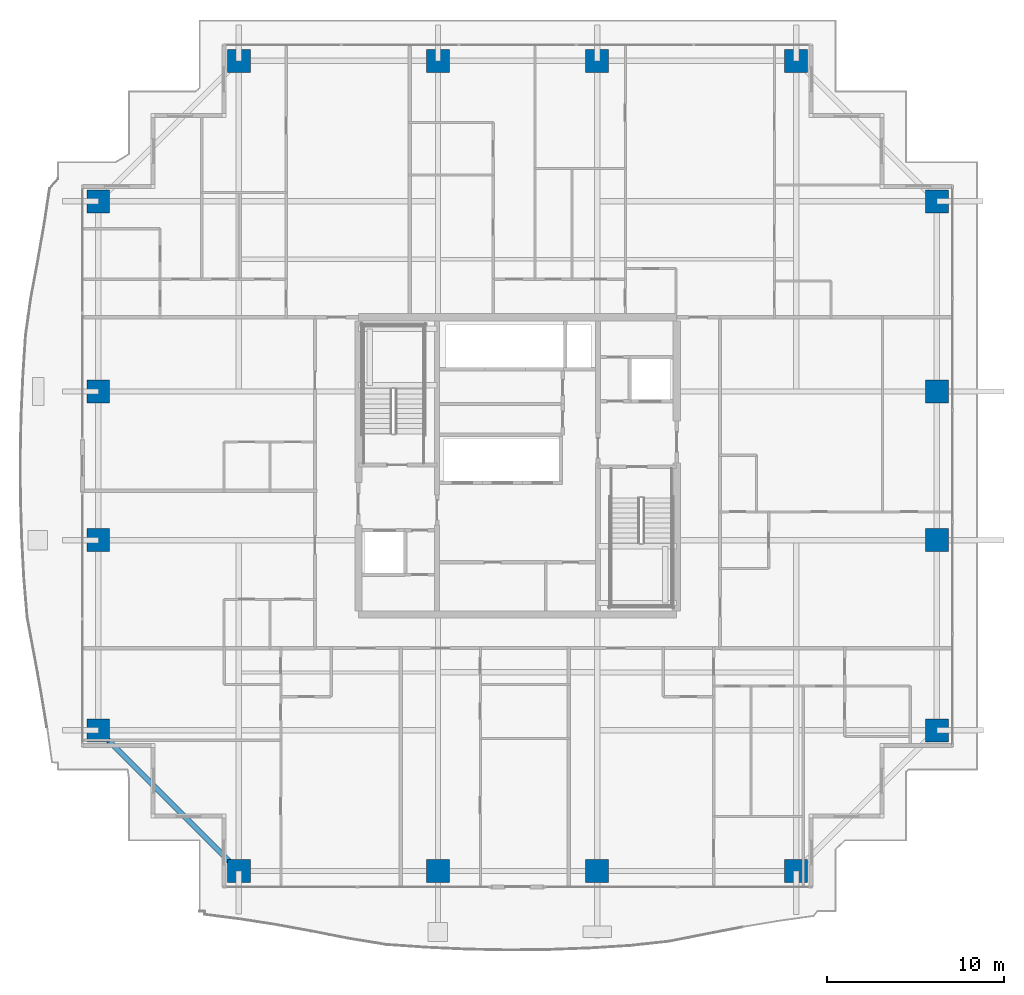
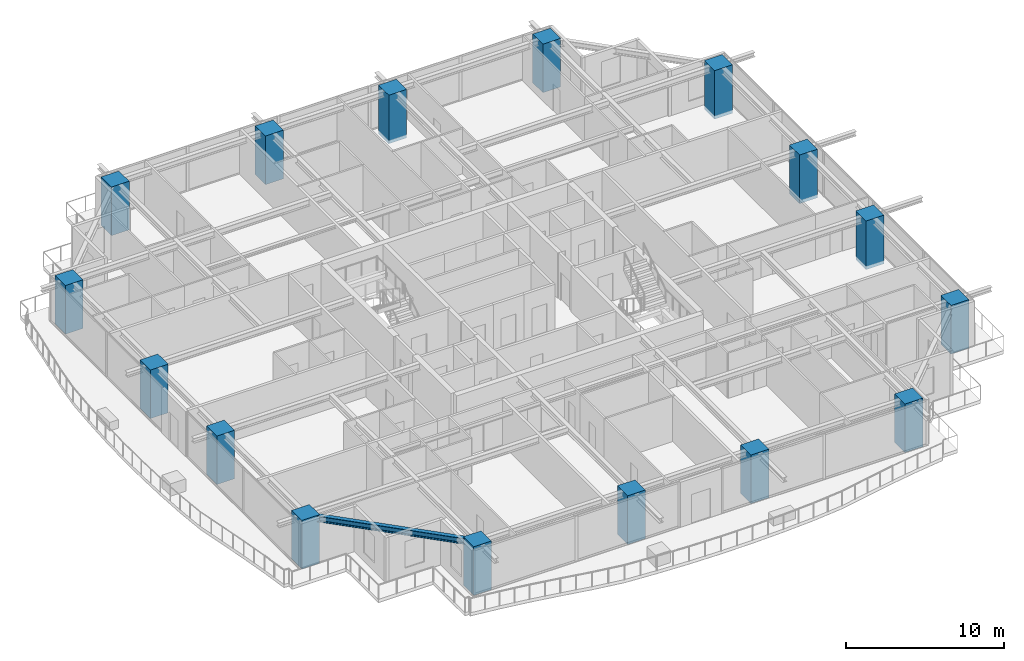
# One storey, part 1 of 35: 16 columns, 1 beam.
"""IFC4 building model written with IfcOpenShell, lengths in metres."""

from ifc_helpers import new_model, si_unit, direction, frame, origin, origin_2d, place, context, subcontext, project, spatial, rectangle, i_section, extrude, source, transform, mapped, material, material_profile, profile_set, type_object, element, save


model = new_model("IFC4")

# Units and contexts
model_context = context("Model", 3, precision=1e-05, world=origin(), true_north=direction((0.0, 1.0)))
body_context = subcontext(model_context, "Body", "Model", "MODEL_VIEW")
ifc_project = project(units=[si_unit("LENGTHUNIT", "METRE"), si_unit("AREAUNIT", "SQUARE_METRE"), si_unit("VOLUMEUNIT", "CUBIC_METRE"), si_unit("PLANEANGLEUNIT", "RADIAN"), si_unit("MASSUNIT", "GRAM", prefix="KILO")], contexts=[model_context])

# Site, building, storey
site_placement = place(None, origin())
site = spatial("IfcSite", under=ifc_project, at=site_placement, CompositionType="ELEMENT")
building_placement = place(site_placement, origin())
building = spatial("IfcBuilding", under=site, at=building_placement, Name="Serunith Strait Residences", CompositionType="ELEMENT")
storey_placement = place(building_placement, frame((0.0, 0.0, 172.64990234375)))
storey = spatial("IfcBuildingStorey", under=building, at=storey_placement, Name="L43", CompositionType="ELEMENT", Elevation=172.64990234375)

# Columns
ifc_material_1 = material(Name="Concrete C80/95", Category="concrete")
ifc_material_profile_1 = material_profile(ifc_material_1, rectangle(XDim=1.300048828125, YDim=1.300048828125, at=origin_2d()), Name="RC 1300x1300")
ifc_profile_set_1 = profile_set([ifc_material_profile_1], Name="Concrete C80/95")
column_type = type_object("IfcColumnType", Name="COL-RC-1300", PredefinedType="COLUMN", material=ifc_profile_set_1)
shared_shape_1 = source(origin(), body_context, "Body", "SweptSolid", [
    extrude(rectangle(XDim=1.300048828125, YDim=1.300048828125, at=origin_2d()), origin(), (0.0, 0.0, 1.0), 3.75),
])
for number, where, z_axis, x_axis, name in (
    (1, (16.64990234375, 2.300048828125, -0.260009765625), (0.0, 0.0, 1.0), (1.0, 0.0, 0.0), "L43 Tower Mega-Column TC-S1"),
    (2, (27.89990234375, 2.300048828125, -0.260009765625), (0.0, 0.0, 1.0), (1.0, 0.0, 0.0), "L43 Tower Mega-Column TC-S2"),
    (3, (36.89990234375, 2.300048828125, -0.260009765625), (0.0, 0.0, 1.0), (1.0, 0.0, 0.0), "L43 Tower Mega-Column TC-S3"),
    (4, (48.14990234375, 2.300048828125, -0.260009765625), (0.0, 0.0, 1.0), (1.0, 0.0, 0.0), "L43 Tower Mega-Column TC-S4"),
    (5, (16.64990234375, 48.10009765625, -0.260009765625), (0.0, 0.0, 1.0), (1.0, 0.0, 0.0), "L43 Tower Mega-Column TC-N1"),
    (6, (27.89990234375, 48.10009765625, -0.260009765625), (0.0, 0.0, 1.0), (1.0, 0.0, 0.0), "L43 Tower Mega-Column TC-N2"),
    (7, (36.89990234375, 48.10009765625, -0.260009765625), (0.0, 0.0, 1.0), (1.0, 0.0, 0.0), "L43 Tower Mega-Column TC-N3"),
    (8, (48.14990234375, 48.10009765625, -0.260009765625), (0.0, 0.0, 1.0), (1.0, 0.0, 0.0), "L43 Tower Mega-Column TC-N4"),
    (9, (56.10009765625, 10.25, -0.260009765625), (0.0, 0.0, 1.0), (1.0, 0.0, 0.0), "L43 Tower Mega-Column TC-E1"),
    (10, (56.10009765625, 21.0, -0.260009765625), (0.0, 0.0, 1.0), (1.0, 0.0, 0.0), "L43 Tower Mega-Column TC-E2"),
    (11, (56.10009765625, 29.39990234375, -0.260009765625), (0.0, 0.0, 1.0), (1.0, 0.0, 0.0), "L43 Tower Mega-Column TC-E3"),
    (12, (56.10009765625, 40.14990234375, -0.260009765625), (0.0, 0.0, 1.0), (1.0, 0.0, 0.0), "L43 Tower Mega-Column TC-E4"),
    (13, (8.699951171875, 10.25, -0.260009765625), (0.0, 0.0, 1.0), (1.0, 0.0, 0.0), "L43 Tower Mega-Column TC-W1"),
    (14, (8.699951171875, 21.0, -0.260009765625), (0.0, 0.0, 1.0), (1.0, 0.0, 0.0), "L43 Tower Mega-Column TC-W2"),
    (15, (8.699951171875, 29.39990234375, -0.260009765625), (0.0, 0.0, 1.0), (1.0, 0.0, 0.0), "L43 Tower Mega-Column TC-W3"),
    (16, (8.699951171875, 40.14990234375, -0.260009765625), (0.0, 0.0, 1.0), (1.0, 0.0, 0.0), "L43 Tower Mega-Column TC-W4"),
):
    element("IfcColumn", number, at=place(storey_placement, frame(where, z_axis=z_axis, x_axis=x_axis)), inside=storey, type_object=column_type, Name=name, PredefinedType="COLUMN", context=body_context, shape_type="MappedRepresentation", body=[
        mapped(shared_shape_1, transform((0.0, 0.0, 0.0), scale=1.0)),
    ])

# Beam
ifc_material_2 = material(Name="Steel S355J2", Category="steel")
ifc_material_profile_2 = material_profile(ifc_material_2, i_section(OverallWidth=0.300048828125, OverallDepth=0.449951171875, WebThickness=0.013916015625, FlangeThickness=0.02587890625, FilletRadius=0.027099609375, at=origin_2d()), Name="HEB 450")
ifc_profile_set_2 = profile_set([ifc_material_profile_2], Name="Steel S355J2")
beam_type = type_object("IfcBeamType", Name="BM-HEB450", PredefinedType="BEAM", material=ifc_profile_set_2)
shared_shape_2 = source(origin(), body_context, "Body", "SweptSolid", [
    extrude(i_section(OverallWidth=0.300048828125, OverallDepth=0.449951171875, WebThickness=0.013916015625, FlangeThickness=0.02587890625, FilletRadius=0.027099609375, at=origin_2d()), origin(), (0.0, 0.0, 1.0), 11.242919921875),
])
beam_placement = place(storey_placement, frame((8.699951171875, 10.25, 3.232177734375), z_axis=(0.707106781187, -0.707106781187, 0.0), x_axis=(0.707106781187, 0.707106781187, 0.0)))
element("IfcBeam", 17, at=beam_placement, inside=storey, type_object=beam_type, Name="L43 Perimeter Ring Beam 16", PredefinedType="BEAM", context=body_context, shape_type="MappedRepresentation", body=[
    mapped(shared_shape_2, transform((0.0, 0.0, 0.0), scale=1.0)),
])

save(model, "model.ifc")
